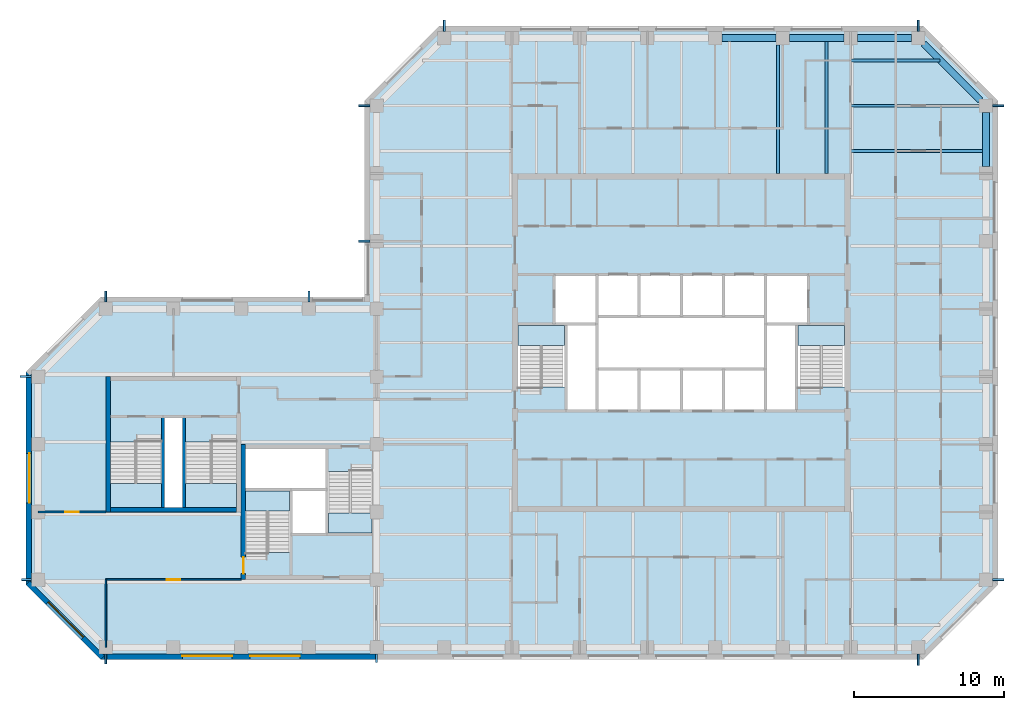
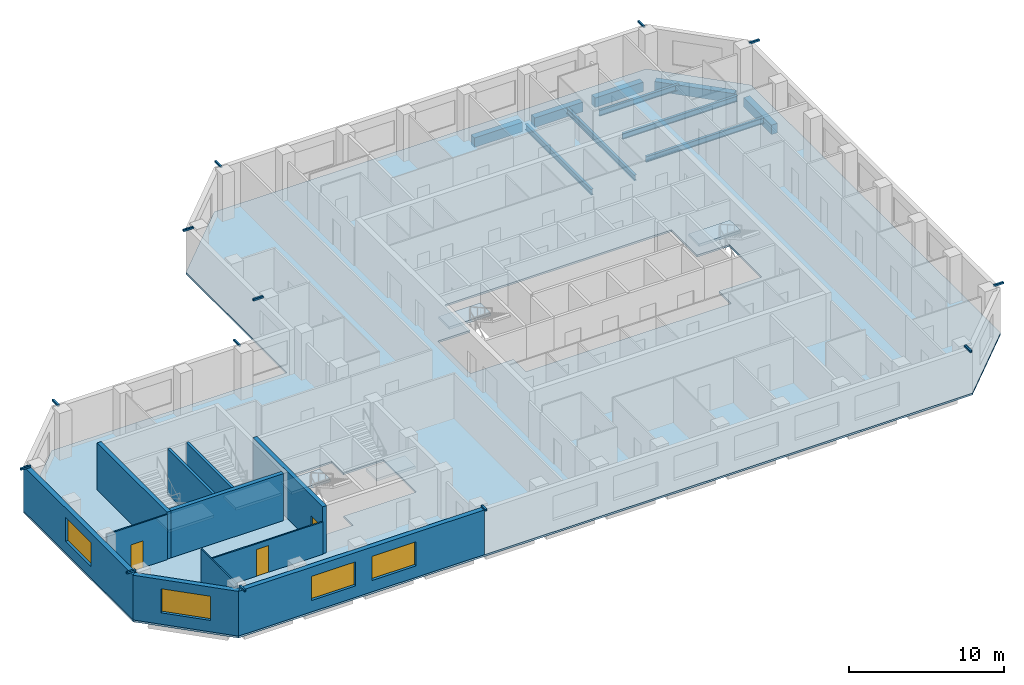
# One storey, part 2 of 10: 23 beams, 11 walls, 7 slabs, 4 windows, 3 doors, 7 openings, 6 elements without a shape of their own.
"""IFC4 building model written with IfcOpenShell, lengths in metres."""

from ifc_helpers import new_model, si_unit, direction, frame, frame_2d, origin, origin_2d, place, context, subcontext, project, spatial, polyline, rectangle, hollow_rectangle, i_section, outline, extrude, material, layer, layer_set, constituent, constituent_set, material_profile, profile_set, type_object, element, fill, aggregate, save


model = new_model("IFC4")

# Units and contexts
model_context = context("Model", 3, precision=1e-05, world=origin(), true_north=direction((0.0, 1.0)))
body_context = subcontext(model_context, "Body", "Model", "MODEL_VIEW")
ifc_project = project(units=[si_unit("LENGTHUNIT", "METRE"), si_unit("AREAUNIT", "SQUARE_METRE"), si_unit("VOLUMEUNIT", "CUBIC_METRE"), si_unit("PLANEANGLEUNIT", "RADIAN"), si_unit("MASSUNIT", "GRAM", prefix="KILO")], contexts=[model_context])

# Site, building, storey
site_placement = place(None, origin())
site = spatial("IfcSite", under=ifc_project, at=site_placement, CompositionType="ELEMENT")
building_placement = place(site_placement, origin())
building = spatial("IfcBuilding", under=site, at=building_placement, Name="Quoin Convention Tower", CompositionType="ELEMENT")
storey_placement = place(building_placement, frame((0.0, 0.0, 184.699951171875)))
storey = spatial("IfcBuildingStorey", under=building, at=storey_placement, Name="L48", CompositionType="ELEMENT", Elevation=184.699951171875)

# Beams
ifc_material_1 = material(Name="Steel C450L0", Category="steel")
ifc_material_profile_1 = material_profile(ifc_material_1, hollow_rectangle(XDim=0.14990234375, YDim=0.14990234375, WallThickness=0.008056640625, InnerFilletRadius=0.011962890625, OuterFilletRadius=0.02001953125, at=origin_2d()), Name="150x150x8.0SHS")
ifc_profile_set_1 = profile_set([ifc_material_profile_1], Name="Steel C450L0")
beam_type_1 = type_object("IfcBeamType", Name="150x150x8.0SHS", PredefinedType="BEAM", material=ifc_profile_set_1)
beam_1_placement = place(storey_placement, frame((13.050048828125, 58.5, 3.625), z_axis=(-1.0, 0.0, 0.0), x_axis=(0.0, -1.0, 0.0)))
element("IfcBeam", 1, at=beam_1_placement, inside=storey, type_object=beam_type_1, Name="brk-hi-L45-13500_58500-13500_54000", PredefinedType="BEAM", context=body_context, shape_type="SweptSolid", body=[
    extrude(hollow_rectangle(XDim=0.14990234375, YDim=0.14990234375, WallThickness=0.008056640625, InnerFilletRadius=0.011962890625, OuterFilletRadius=0.02001953125, at=origin_2d()), origin(), (0.0, 0.0, 1.0), 0.75),
])
for number, where, z_axis, x_axis, name in (
    (2, (13.050048828125, 45.0, 3.625), (-1.0, 0.0, 0.0), (0.0, -1.0, 0.0), "brk-hi-L45-13500_49500-13500_45000"),
    (3, (18.0, 40.050048828125, 3.625), (0.0, -1.0, 0.0), (1.0, 0.0, 0.0), "brk-hi-L45-18000_40500-22500_40500"),
):
    element("IfcBeam", number, at=place(storey_placement, frame(where, z_axis=z_axis, x_axis=x_axis)), inside=storey, type_object=beam_type_1, Name=name, PredefinedType="BEAM", context=body_context, shape_type="SweptSolid", body=[
        extrude(hollow_rectangle(XDim=0.14990234375, YDim=0.14990234375, WallThickness=0.008056640625, InnerFilletRadius=0.011962890625, OuterFilletRadius=0.02001953125, at=origin_2d()), origin(), (0.0, 0.0, 1.0), 0.650146484375),
    ])
beam_2_placement = place(storey_placement, frame((36.0, 40.050048828125, 3.625), z_axis=(0.0, -1.0, 0.0), x_axis=(1.0, 0.0, 0.0)))
element("IfcBeam", 4, at=beam_2_placement, inside=storey, type_object=beam_type_1, Name="brk-hi-L45-31500_40500-36000_40500", PredefinedType="BEAM", context=body_context, shape_type="SweptSolid", body=[
    extrude(hollow_rectangle(XDim=0.14990234375, YDim=0.14990234375, WallThickness=0.008056640625, InnerFilletRadius=0.011962890625, OuterFilletRadius=0.02001953125, at=origin_2d()), origin(), (0.0, 0.0, 1.0), 0.550048828125),
])
for number, where, z_axis, x_axis, name in (
    (5, (72.0, 40.050048828125, 3.625), (0.0, -1.0, 0.0), (1.0, 0.0, 0.0), "brk-hi-L45-67500_40500-72000_40500"),
    (6, (31.5, 63.449951171875, 3.625), (0.0, 1.0, 0.0), (-1.0, 0.0, 0.0), "brk-hi-L45-31500_63000-27000_63000"),
    (7, (18.0, 63.449951171875, 3.625), (0.0, 1.0, 0.0), (-1.0, 0.0, 0.0), "brk-hi-L45-22500_63000-18000_63000"),
    (8, (35.550048828125, 76.5, 3.625), (-1.0, 0.0, 0.0), (0.0, -1.0, 0.0), "brk-hi-L45-36000_76500-36000_72000"),
    (9, (35.550048828125, 67.5, 3.625), (-1.0, 0.0, 0.0), (0.0, -1.0, 0.0), "brk-hi-L45-36000_72000-36000_67500"),
    (10, (72.0, 81.449951171875, 3.625), (0.0, 1.0, 0.0), (-1.0, 0.0, 0.0), "brk-hi-L45-72000_81000-67500_81000"),
    (11, (40.5, 81.449951171875, 3.625), (0.0, 1.0, 0.0), (-1.0, 0.0, 0.0), "brk-hi-L45-45000_81000-40500_81000"),
    (12, (76.949951171875, 45.0, 3.625), (1.0, 0.0, 0.0), (0.0, 1.0, 0.0), "brk-hi-L45-76500_45000-76500_49500"),
    (13, (76.949951171875, 76.5, 3.625), (1.0, 0.0, 0.0), (0.0, 1.0, 0.0), "brk-hi-L45-76500_72000-76500_76500"),
):
    element("IfcBeam", number, at=place(storey_placement, frame(where, z_axis=z_axis, x_axis=x_axis)), inside=storey, type_object=beam_type_1, Name=name, PredefinedType="BEAM", context=body_context, shape_type="SweptSolid", body=[
        extrude(hollow_rectangle(XDim=0.14990234375, YDim=0.14990234375, WallThickness=0.008056640625, InnerFilletRadius=0.011962890625, OuterFilletRadius=0.02001953125, at=origin_2d()), origin(), (0.0, 0.0, 1.0), 0.75),
    ])
ifc_material_2 = material(Name="Steel Grade 300", Category="steel")
ifc_material_profile_2 = material_profile(ifc_material_2, i_section(OverallWidth=0.18994140625, OverallDepth=0.4541015625, WebThickness=0.008544921875, FlangeThickness=0.0126953125, FilletRadius=0.011474609375, at=origin_2d()), Name="460UB67.1")
ifc_profile_set_2 = profile_set([ifc_material_profile_2], Name="Steel Grade 300")
beam_type_2 = type_object("IfcBeamType", Name="460UB67.1", PredefinedType="BEAM", material=ifc_profile_set_2)
beam_3_placement = place(storey_placement, frame((62.6787109375, 72.0, -0.376953125), z_axis=(0.0, 1.0, 0.0), x_axis=(-1.0, 0.0, 0.0)))
element("IfcBeam", 14, at=beam_3_placement, inside=storey, type_object=beam_type_2, Name="bm-L48-T1N5", PredefinedType="BEAM", context=body_context, shape_type="SweptSolid", body=[
    extrude(i_section(OverallWidth=0.18994140625, OverallDepth=0.4541015625, WebThickness=0.008544921875, FlangeThickness=0.0126953125, FilletRadius=0.011474609375, at=origin_2d()), origin(), (0.0, 0.0, 1.0), 8.550048828125),
])
beam_4_placement = place(storey_placement, frame((65.892822265625, 72.0, -0.376953125), z_axis=(0.0, 1.0, 0.0), x_axis=(-1.0, 0.0, 0.0)))
element("IfcBeam", 15, at=beam_4_placement, inside=storey, type_object=beam_type_2, Name="bm-L48-T1N6", PredefinedType="BEAM", context=body_context, shape_type="SweptSolid", body=[
    extrude(i_section(OverallWidth=0.18994140625, OverallDepth=0.4541015625, WebThickness=0.008544921875, FlangeThickness=0.0126953125, FilletRadius=0.011474609375, at=origin_2d()), origin(), (0.0, 0.0, 1.0), 8.77490234375),
])
beam_5_placement = place(storey_placement, frame((67.5, 79.5, -0.376953125), z_axis=(1.0, 0.0, 0.0), x_axis=(0.0, 1.0, 0.0)))
element("IfcBeam", 16, at=beam_5_placement, inside=storey, type_object=beam_type_2, Name="bm-L48-T1NE0", PredefinedType="BEAM", context=body_context, shape_type="SweptSolid", body=[
    extrude(i_section(OverallWidth=0.18994140625, OverallDepth=0.4541015625, WebThickness=0.008544921875, FlangeThickness=0.0126953125, FilletRadius=0.011474609375, at=origin_2d()), origin(), (0.0, 0.0, 1.0), 5.935791015625),
])
beam_6_placement = place(storey_placement, frame((67.5, 76.5, -0.376953125), z_axis=(1.0, 0.0, 0.0), x_axis=(0.0, 1.0, 0.0)))
element("IfcBeam", 17, at=beam_6_placement, inside=storey, type_object=beam_type_2, Name="bm-L48-T1NE1", PredefinedType="BEAM", context=body_context, shape_type="SweptSolid", body=[
    extrude(i_section(OverallWidth=0.18994140625, OverallDepth=0.4541015625, WebThickness=0.008544921875, FlangeThickness=0.0126953125, FilletRadius=0.011474609375, at=origin_2d()), origin(), (0.0, 0.0, 1.0), 8.550048828125),
])
beam_7_placement = place(storey_placement, frame((67.5, 73.5, -0.376953125), z_axis=(1.0, 0.0, 0.0), x_axis=(0.0, 1.0, 0.0)))
element("IfcBeam", 18, at=beam_7_placement, inside=storey, type_object=beam_type_2, Name="bm-L48-T1NE2", PredefinedType="BEAM", context=body_context, shape_type="SweptSolid", body=[
    extrude(i_section(OverallWidth=0.18994140625, OverallDepth=0.4541015625, WebThickness=0.008544921875, FlangeThickness=0.0126953125, FilletRadius=0.011474609375, at=origin_2d()), origin(), (0.0, 0.0, 1.0), 8.77490234375),
])
ifc_material_3 = material(Name="Concrete C50", Category="concrete")
ifc_material_profile_3 = material_profile(ifc_material_3, rectangle(XDim=0.449951171875, YDim=0.75, at=origin_2d()), Name="RC 450x750")
ifc_profile_set_3 = profile_set([ifc_material_profile_3], Name="Concrete C50")
beam_type_3 = type_object("IfcBeamType", Name="RC 450x750 C50", PredefinedType="SPANDREL", material=ifc_profile_set_3)
beam_8_placement = place(storey_placement, frame((76.5, 72.449951171875, -0.52490234375), z_axis=(0.0, 1.0, 0.0), x_axis=(-1.0, 0.0, 0.0)))
element("IfcBeam", 19, at=beam_8_placement, inside=storey, type_object=beam_type_3, Name="spd-L48-76500_72000-76500_76500", PredefinedType="SPANDREL", context=body_context, shape_type="SweptSolid", body=[
    extrude(rectangle(XDim=0.449951171875, YDim=0.75, at=origin_2d()), origin(), (0.0, 0.0, 1.0), 3.60009765625),
])
beam_9_placement = place(storey_placement, frame((76.135009765625, 76.864990234375, -0.52490234375), z_axis=(-0.707106781187, 0.707106781187, 0.0), x_axis=(-0.707106781187, -0.707106781187, 0.0)))
element("IfcBeam", 20, at=beam_9_placement, inside=storey, type_object=beam_type_3, Name="spd-L48-76500_76500-72000_81000", PredefinedType="SPANDREL", context=body_context, shape_type="SweptSolid", body=[
    extrude(rectangle(XDim=0.449951171875, YDim=0.75, at=origin_2d()), origin(), (0.0, 0.0, 1.0), 5.33154296875),
])
for number, where, z_axis, x_axis, name in (
    (21, (71.550048828125, 81.0, -0.52490234375), (-1.0, 0.0, 0.0), (0.0, -1.0, 0.0), "spd-L48-72000_81000-67500_81000"),
    (22, (67.050048828125, 81.0, -0.52490234375), (-1.0, 0.0, 0.0), (0.0, -1.0, 0.0), "spd-L48-67500_81000-63000_81000"),
    (23, (62.550048828125, 81.0, -0.52490234375), (-1.0, 0.0, 0.0), (0.0, -1.0, 0.0), "spd-L48-63000_81000-58500_81000"),
):
    element("IfcBeam", number, at=place(storey_placement, frame(where, z_axis=z_axis, x_axis=x_axis)), inside=storey, type_object=beam_type_3, Name=name, PredefinedType="SPANDREL", context=body_context, shape_type="SweptSolid", body=[
        extrude(rectangle(XDim=0.449951171875, YDim=0.75, at=origin_2d()), origin(), (0.0, 0.0, 1.0), 3.60009765625),
    ])

# Slab
ifc_material_4 = material(Name="Concrete C40", Category="concrete")
ifc_layer_1 = layer(ifc_material_4, 0.14990234375)
ifc_layer_set_1 = layer_set([ifc_layer_1], Name="Concrete C40")
slab_type_1 = type_object("IfcSlabType", Name="COMPOSITE SLAB 150 C40", PredefinedType="FLOOR", material=ifc_layer_set_1)
slab_1_placement = place(storey_placement, frame((0.0, 0.0, -0.14990234375)))
element("IfcSlab", 24, at=slab_1_placement, inside=storey, type_object=slab_type_1, Name="slb-L48", PredefinedType="FLOOR", context=body_context, shape_type="SweptSolid", body=[
    extrude(outline(polyline([(17.668701171875, 39.699951171875), (12.699951171875, 44.668701171875), (12.699951171875, 58.831298828125), (17.668701171875, 63.800048828125), (35.199951171875, 63.800048828125), (35.199951171875, 76.831298828125), (40.168701171875, 81.800048828125), (72.331298828125, 81.800048828125), (77.300048828125, 76.831298828125), (77.300048828125, 44.668701171875), (72.331298828125, 39.699951171875), (17.668701171875, 39.699951171875)]), holes=[polyline([(27.300048828125, 51.0), (27.300048828125, 46.800537109375), (30.300048828125, 46.800537109375), (30.300048828125, 48.0), (32.699951171875, 48.0), (35.699951171875, 48.0), (35.699951171875, 52.199462890625), (32.699951171875, 52.199462890625), (32.699951171875, 53.699951171875), (27.300048828125, 53.699951171875), (27.300048828125, 51.0)]), polyline([(18.300048828125, 49.800048828125), (21.800048828125, 49.800048828125), (23.199951171875, 49.800048828125), (26.699951171875, 49.800048828125), (26.699951171875, 54.1494140625), (23.199951171875, 54.1494140625), (23.199951171875, 55.85009765625), (21.800048828125, 55.85009765625), (21.800048828125, 54.1494140625), (18.300048828125, 54.1494140625), (18.300048828125, 49.800048828125)]), polyline([(48.60009765625, 56.199951171875), (50.64990234375, 56.199951171875), (53.449951171875, 56.199951171875), (56.25, 56.199951171875), (59.050048828125, 56.199951171875), (61.85009765625, 56.199951171875), (63.89990234375, 56.199951171875), (63.89990234375, 57.800537109375), (67.10009765625, 57.800537109375), (67.10009765625, 62.0), (64.699951171875, 62.0), (64.699951171875, 65.300048828125), (61.85009765625, 65.300048828125), (59.050048828125, 65.300048828125), (56.25, 65.300048828125), (53.449951171875, 65.300048828125), (50.64990234375, 65.300048828125), (47.800048828125, 65.300048828125), (47.800048828125, 62.0), (45.39990234375, 62.0), (45.39990234375, 57.800537109375), (48.60009765625, 57.800537109375), (48.60009765625, 56.199951171875)])]), origin(), (0.0, 0.0, 1.0), 0.14990234375),
])

# Stair, slab
stair_type_1 = type_object("IfcStairType", Name="Exit stair two-flight 1350", PredefinedType="HALF_TURN_STAIR", material=ifc_material_4)
stair_1_placement = place(storey_placement, origin())
stair_1 = element("IfcStair", 25, at=stair_1_placement, inside=storey, type_object=stair_type_1, Name="SD1 L48", PredefinedType="HALF_TURN_STAIR")
ifc_layer_2 = layer(ifc_material_4, 0.199951171875)
ifc_layer_set_2 = layer_set([ifc_layer_2], Name="Concrete C40")
slab_type_2 = type_object("IfcSlabType", Name="Stair landing 200", PredefinedType="LANDING", material=ifc_layer_set_2)
slab_2_placement = place(storey_placement, frame((0.0, 0.0, 1.792236328125)))
slab_2 = element("IfcSlab", 26, at=slab_2_placement, type_object=slab_type_2, Name="ST1 landing 1", PredefinedType="LANDING", context=body_context, shape_type="SweptSolid", body=[
    extrude(outline(polyline([(45.39990234375, 60.550048828125), (48.5, 60.550048828125), (48.5, 61.89990234375), (45.39990234375, 61.89990234375), (45.39990234375, 60.550048828125)])), origin(), (0.0, 0.0, 1.0), 0.2001953125),
])
aggregate(stair_1, [slab_2])

stair_2_placement = place(storey_placement, origin())
stair_2 = element("IfcStair", 27, at=stair_2_placement, inside=storey, type_object=stair_type_1, Name="SD2 L48", PredefinedType="HALF_TURN_STAIR")
slab_3_placement = place(storey_placement, frame((0.0, 0.0, 1.792236328125)))
slab_3 = element("IfcSlab", 28, at=slab_3_placement, type_object=slab_type_2, Name="ST2 landing 1", PredefinedType="LANDING", context=body_context, shape_type="SweptSolid", body=[
    extrude(outline(polyline([(64.0, 60.550048828125), (67.10009765625, 60.550048828125), (67.10009765625, 61.89990234375), (64.0, 61.89990234375), (64.0, 60.550048828125)])), origin(), (0.0, 0.0, 1.0), 0.2001953125),
])
aggregate(stair_2, [slab_3])

stair_3_placement = place(storey_placement, origin())
stair_3 = element("IfcStair", 29, at=stair_3_placement, inside=storey, type_object=stair_type_1, Name="SD3 L48", PredefinedType="HALF_TURN_STAIR")
slab_4_placement = place(storey_placement, frame((0.0, 0.0, 1.792236328125)))
slab_4 = element("IfcSlab", 30, at=slab_4_placement, type_object=slab_type_2, Name="ST3 landing 1", PredefinedType="LANDING", context=body_context, shape_type="SweptSolid", body=[
    extrude(outline(polyline([(27.300048828125, 49.550048828125), (30.199951171875, 49.550048828125), (30.199951171875, 50.89990234375), (27.300048828125, 50.89990234375), (27.300048828125, 49.550048828125)])), origin(), (0.0, 0.0, 1.0), 0.2001953125),
])
aggregate(stair_3, [slab_4])

stair_4_placement = place(storey_placement, origin())
stair_4 = element("IfcStair", 31, at=stair_4_placement, inside=storey, type_object=stair_type_1, Name="SD4 L48", PredefinedType="HALF_TURN_STAIR")
slab_5_placement = place(storey_placement, frame((0.0, 0.0, 1.792236328125)))
slab_5 = element("IfcSlab", 32, at=slab_5_placement, type_object=slab_type_2, Name="ST4 landing 1", PredefinedType="LANDING", context=body_context, shape_type="SweptSolid", body=[
    extrude(outline(polyline([(35.699951171875, 49.449951171875), (32.800048828125, 49.449951171875), (32.800048828125, 48.10009765625), (35.699951171875, 48.10009765625), (35.699951171875, 49.449951171875)])), origin(), (0.0, 0.0, 1.0), 0.2001953125),
])
aggregate(stair_4, [slab_5])

stair_type_2 = type_object("IfcStairType", Name="Exit stair two-flight 1600", PredefinedType="HALF_TURN_STAIR", material=ifc_material_4)
stair_5_placement = place(storey_placement, origin())
stair_5 = element("IfcStair", 33, at=stair_5_placement, inside=storey, type_object=stair_type_2, Name="SD11 L48", PredefinedType="HALF_TURN_STAIR")
slab_6_placement = place(storey_placement, frame((0.0, 0.0, 1.792236328125)))
slab_6 = element("IfcSlab", 34, at=slab_6_placement, type_object=slab_type_2, Name="ST11 landing 1", PredefinedType="LANDING", context=body_context, shape_type="SweptSolid", body=[
    extrude(outline(polyline([(21.699951171875, 51.39990234375), (18.300048828125, 51.39990234375), (18.300048828125, 49.800048828125), (21.699951171875, 49.800048828125), (21.699951171875, 51.39990234375)])), origin(), (0.0, 0.0, 1.0), 0.2001953125),
])
aggregate(stair_5, [slab_6])

stair_6_placement = place(storey_placement, origin())
stair_6 = element("IfcStair", 35, at=stair_6_placement, inside=storey, type_object=stair_type_2, Name="SD12 L48", PredefinedType="HALF_TURN_STAIR")
slab_7_placement = place(storey_placement, frame((0.0, 0.0, 1.792236328125)))
slab_7 = element("IfcSlab", 36, at=slab_7_placement, type_object=slab_type_2, Name="ST12 landing 1", PredefinedType="LANDING", context=body_context, shape_type="SweptSolid", body=[
    extrude(outline(polyline([(26.699951171875, 51.39990234375), (23.300048828125, 51.39990234375), (23.300048828125, 49.800048828125), (26.699951171875, 49.800048828125), (26.699951171875, 51.39990234375)])), origin(), (0.0, 0.0, 1.0), 0.2001953125),
])
aggregate(stair_6, [slab_7])

# Wall, opening, window
ifc_material_5 = material(Name="Brick masonry", Category="masonry")
ifc_layer_3 = layer(ifc_material_5, 0.35009765625)
ifc_layer_set_3 = layer_set([ifc_layer_3], Name="Brick masonry")
wall_type_1 = type_object("IfcWallType", Name="Brick facade wall", PredefinedType="STANDARD", material=ifc_layer_set_3)
wall_1_placement = place(storey_placement, frame((12.875, 58.831298828125, 0.0), z_axis=(0.0, 0.0, 1.0), x_axis=(0.0, -1.0, 0.0)))
wall_1 = element("IfcWall", 37, at=wall_1_placement, inside=storey, type_object=wall_type_1, Name="fw-L48-13500_58500", PredefinedType="STANDARD", context=body_context, shape_type="SweptSolid", body=[
    extrude(rectangle(XDim=14.16259765625, YDim=0.35009765625, at=frame_2d((7.081298828125, 0.0))), origin(), (0.0, 0.0, 1.0), 3.525146484375),
])
opening_1_placement = place(wall_1_placement, frame((5.431396484375, 0.0, 0.89990234375)))
opening_1 = element("IfcOpeningElement", 38, at=opening_1_placement, cuts=wall_1, Name="Opening W-02", PredefinedType="OPENING", context=body_context, shape_type="SweptSolid", body=[
    extrude(rectangle(XDim=3.300048828125, YDim=1.89990234375, at=frame_2d((1.64990234375, 0.949951171875))), frame((0.0, 0.18505859375, 0.0), z_axis=(0.0, -1.0, 0.0), x_axis=(1.0, 0.0, 0.0)), (0.0, 0.0, 1.0), 0.3701171875),
])
ifc_material_6 = material(Name="Aluminium", Category="aluminium")
ifc_constituent_1 = constituent(ifc_material_6, Name="Frame")
ifc_material_7 = material(Name="Insulated glass", Category="glass")
ifc_constituent_2 = constituent(ifc_material_7, Name="Glazing")
ifc_constituent_set = constituent_set(constituents=[ifc_constituent_1, ifc_constituent_2], Name="Aluminium")
window_type = type_object("IfcWindowType", Name="Office window", PartitioningType="DOUBLE_PANEL_VERTICAL", PredefinedType="WINDOW", material=ifc_constituent_set)
window_1_placement = place(opening_1_placement, origin())
window_1 = element("IfcWindow", 39, at=window_1_placement, inside=storey, type_object=window_type, Name="win-L48-12875_51750", OverallHeight=1.89990234375, OverallWidth=3.300048828125, PartitioningType="SINGLE_PANEL", PredefinedType="WINDOW", context=body_context, shape_type="SweptSolid", body=[
    extrude(rectangle(XDim=3.300048828125, YDim=1.89990234375, at=frame_2d((1.64990234375, 0.949951171875))), frame((0.0, 0.0849609375, 0.0), z_axis=(0.0, -1.0, 0.0), x_axis=(1.0, 0.0, 0.0)), (0.0, 0.0, 1.0), 0.06005859375),
])
fill(opening_1, window_1)

wall_2_placement = place(storey_placement, frame((12.82373046875, 44.79248046875, 0.0), z_axis=(0.0, 0.0, 1.0), x_axis=(0.707106781187, -0.707106781187, 0.0)))
wall_2 = element("IfcWall", 40, at=wall_2_placement, inside=storey, type_object=wall_type_1, Name="fw-L48-13500_45000", PredefinedType="STANDARD", context=body_context, shape_type="SweptSolid", body=[
    extrude(rectangle(XDim=7.02685546875, YDim=0.35009765625, at=frame_2d((3.513427734375, 0.0))), origin(), (0.0, 0.0, 1.0), 3.525146484375),
])
opening_2_placement = place(wall_2_placement, frame((1.86328125, 0.0, 0.89990234375)))
opening_2 = element("IfcOpeningElement", 41, at=opening_2_placement, cuts=wall_2, Name="Opening W-02", PredefinedType="OPENING", context=body_context, shape_type="SweptSolid", body=[
    extrude(rectangle(XDim=3.300048828125, YDim=1.89990234375, at=frame_2d((1.64990234375, 0.949951171875))), frame((0.0, 0.18505859375, 0.0), z_axis=(0.0, -1.0, 0.0), x_axis=(1.0, 0.0, 0.0)), (0.0, 0.0, 1.0), 0.3701171875),
])
window_2_placement = place(opening_2_placement, origin())
window_2 = element("IfcWindow", 42, at=window_2_placement, inside=storey, type_object=window_type, Name="win-L48-15308_42308", OverallHeight=1.89990234375, OverallWidth=3.300048828125, PartitioningType="SINGLE_PANEL", PredefinedType="WINDOW", context=body_context, shape_type="SweptSolid", body=[
    extrude(rectangle(XDim=3.300048828125, YDim=1.89990234375, at=frame_2d((1.64990234375, 0.949951171875))), frame((0.0, 0.0849609375, 0.0), z_axis=(0.0, -1.0, 0.0), x_axis=(1.0, 0.0, 0.0)), (0.0, 0.0, 1.0), 0.06005859375),
])
fill(opening_2, window_2)

# Wall, openings, windows
wall_3_placement = place(storey_placement, frame((17.668701171875, 39.875, 0.0), z_axis=(0.0, 0.0, 1.0), x_axis=(1.0, 0.0, 0.0)))
wall_3 = element("IfcWall", 43, at=wall_3_placement, inside=storey, type_object=wall_type_1, Name="fw-L48-18000_40500", PredefinedType="STANDARD", context=body_context, shape_type="SweptSolid", body=[
    extrude(rectangle(XDim=18.331298828125, YDim=0.35009765625, at=frame_2d((9.16552734375, 0.0))), origin(), (0.0, 0.0, 1.0), 3.525146484375),
])
opening_3_placement = place(wall_3_placement, frame((5.431396484375, 0.0, 0.89990234375)))
opening_3 = element("IfcOpeningElement", 44, at=opening_3_placement, cuts=wall_3, Name="Opening W-02", PredefinedType="OPENING", context=body_context, shape_type="SweptSolid", body=[
    extrude(rectangle(XDim=3.300048828125, YDim=1.89990234375, at=frame_2d((1.64990234375, 0.949951171875))), frame((0.0, 0.18505859375, 0.0), z_axis=(0.0, -1.0, 0.0), x_axis=(1.0, 0.0, 0.0)), (0.0, 0.0, 1.0), 0.3701171875),
])
opening_4_placement = place(wall_3_placement, frame((9.931396484375, 0.0, 0.89990234375)))
opening_4 = element("IfcOpeningElement", 45, at=opening_4_placement, cuts=wall_3, Name="Opening W-02", PredefinedType="OPENING", context=body_context, shape_type="SweptSolid", body=[
    extrude(rectangle(XDim=3.300048828125, YDim=1.89990234375, at=frame_2d((1.64990234375, 0.949951171875))), frame((0.0, 0.18505859375, 0.0), z_axis=(0.0, -1.0, 0.0), x_axis=(1.0, 0.0, 0.0)), (0.0, 0.0, 1.0), 0.3701171875),
])
window_3_placement = place(opening_3_placement, origin())
window_3 = element("IfcWindow", 46, at=window_3_placement, inside=storey, type_object=window_type, Name="win-L48-24750_39875", OverallHeight=1.89990234375, OverallWidth=3.300048828125, PartitioningType="SINGLE_PANEL", PredefinedType="WINDOW", context=body_context, shape_type="SweptSolid", body=[
    extrude(rectangle(XDim=3.300048828125, YDim=1.89990234375, at=frame_2d((1.64990234375, 0.949951171875))), frame((0.0, 0.0849609375, 0.0), z_axis=(0.0, -1.0, 0.0), x_axis=(1.0, 0.0, 0.0)), (0.0, 0.0, 1.0), 0.06005859375),
])
fill(opening_3, window_3)
window_4_placement = place(opening_4_placement, origin())
window_4 = element("IfcWindow", 47, at=window_4_placement, inside=storey, type_object=window_type, Name="win-L48-29250_39875", OverallHeight=1.89990234375, OverallWidth=3.300048828125, PartitioningType="SINGLE_PANEL", PredefinedType="WINDOW", context=body_context, shape_type="SweptSolid", body=[
    extrude(rectangle(XDim=3.300048828125, YDim=1.89990234375, at=frame_2d((1.64990234375, 0.949951171875))), frame((0.0, 0.0849609375, 0.0), z_axis=(0.0, -1.0, 0.0), x_axis=(1.0, 0.0, 0.0)), (0.0, 0.0, 1.0), 0.06005859375),
])
fill(opening_4, window_4)

# Walls
ifc_layer_4 = layer(ifc_material_3, 0.199951171875)
ifc_layer_set_4 = layer_set([ifc_layer_4], Name="Concrete C50")
wall_type_2 = type_object("IfcWallType", Name="Core shaft wall", PredefinedType="SOLIDWALL", material=ifc_layer_set_4)
for number, where, z_axis, x_axis, name in (
    (48, (21.800048828125, 49.800048828125, 0.0), (0.0, 0.0, 1.0), (0.0, 1.0, 0.0), "cr-P6-L48-v3800_300"),
    (49, (23.199951171875, 49.800048828125, 0.0), (0.0, 0.0, 1.0), (0.0, 1.0, 0.0), "cr-P6-L48-v5200_300"),
):
    element("IfcWall", number, at=place(storey_placement, frame(where, z_axis=z_axis, x_axis=x_axis)), inside=storey, type_object=wall_type_2, Name=name, PredefinedType="SOLIDWALL", context=body_context, shape_type="SweptSolid", body=[
        extrude(rectangle(XDim=6.050048828125, YDim=0.199951171875, at=frame_2d((3.02490234375, 0.0))), origin(), (0.0, 0.0, 1.0), 3.550048828125),
    ])

# Wall, opening, door
ifc_layer_5 = layer(ifc_material_3, 0.300048828125)
ifc_layer_set_5 = layer_set([ifc_layer_5], Name="Concrete C50")
wall_type_3 = type_object("IfcWallType", Name="RC CORE WALL 300 C50", PredefinedType="SHEAR", material=ifc_layer_set_5)
wall_4_placement = place(storey_placement, frame((27.14990234375, 45.0, 0.0), z_axis=(0.0, 0.0, 1.0), x_axis=(0.0, 1.0, 0.0)))
wall_4 = element("IfcWall", 50, at=wall_4_placement, inside=storey, type_object=wall_type_3, Name="cwl-P2-L48-W", PredefinedType="SHEAR", context=body_context, shape_type="SweptSolid", body=[
    extrude(rectangle(XDim=9.0, YDim=0.300048828125, at=frame_2d((4.5, 0.0))), origin(), (0.0, 0.0, 1.0), 3.699951171875),
])
opening_5_placement = place(wall_4_placement, frame((0.39990234375, 0.0, 0.0)))
opening_5 = element("IfcOpeningElement", 51, at=opening_5_placement, cuts=wall_4, Name="Opening SD3", PredefinedType="OPENING", context=body_context, shape_type="SweptSolid", body=[
    extrude(rectangle(XDim=1.10009765625, YDim=2.10009765625, at=frame_2d((0.550048828125, 1.050048828125))), frame((0.0, 0.159912109375, 0.0), z_axis=(0.0, -1.0, 0.0), x_axis=(1.0, 0.0, 0.0)), (0.0, 0.0, 1.0), 0.320068359375),
])
ifc_material_8 = material(Name="Steel door leaf", Category="steel")
door_type_1 = type_object("IfcDoorType", Name="Stair door 1100 x 2100", OperationType="SINGLE_SWING_RIGHT", PredefinedType="DOOR", material=ifc_material_8)
door_1_placement = place(opening_5_placement, frame((1.10009765625, 0.0, 0.0), z_axis=(0.0, 0.0, 1.0), x_axis=(-1.0, 0.0, 0.0)))
door_1 = element("IfcDoor", 52, at=door_1_placement, inside=storey, type_object=door_type_1, Name="cd-P2-L48-SA-W", OperationType="SINGLE_SWING_RIGHT", OverallHeight=2.10009765625, OverallWidth=1.10009765625, PredefinedType="DOOR", context=body_context, shape_type="SweptSolid", body=[
    extrude(rectangle(XDim=1.10009765625, YDim=2.10009765625, at=frame_2d((0.550048828125, 1.050048828125))), frame((0.0, 0.02490234375, 0.0), z_axis=(0.0, -1.0, 0.0), x_axis=(1.0, 0.0, 0.0)), (0.0, 0.0, 1.0), 0.050048828125),
])
fill(opening_5, door_1)

# Walls
wall_5_placement = place(storey_placement, frame((18.300048828125, 49.64990234375, 0.0), z_axis=(0.0, 0.0, 1.0), x_axis=(1.0, 0.0, 0.0)))
element("IfcWall", 53, at=wall_5_placement, inside=storey, type_object=wall_type_3, Name="cwl-P6-L48-S", PredefinedType="SHEAR", context=body_context, shape_type="SweptSolid", body=[
    extrude(rectangle(XDim=8.39990234375, YDim=0.300048828125, at=frame_2d((4.199951171875, 0.0))), origin(), (0.0, 0.0, 1.0), 3.699951171875),
])
wall_6_placement = place(storey_placement, frame((18.14990234375, 49.5, 0.0), z_axis=(0.0, 0.0, 1.0), x_axis=(0.0, 1.0, 0.0)))
element("IfcWall", 54, at=wall_6_placement, inside=storey, type_object=wall_type_3, Name="cwl-P6-L48-W", PredefinedType="SHEAR", context=body_context, shape_type="SweptSolid", body=[
    extrude(rectangle(XDim=9.0, YDim=0.300048828125, at=frame_2d((4.5, 0.0))), origin(), (0.0, 0.0, 1.0), 3.699951171875),
])

# Wall, opening, door
ifc_material_9 = material(Name="Plasterboard")
ifc_layer_6 = layer(ifc_material_9, 0.012451171875, Name="Finish")
ifc_material_10 = material(Name="Steel stud framing", Category="steel")
ifc_layer_7 = layer(ifc_material_10, 0.074951171875, Name="Structure")
ifc_layer_8 = layer(ifc_material_9, 0.012451171875, Name="Finish")
ifc_layer_set_6 = layer_set([ifc_layer_6, ifc_layer_7, ifc_layer_8], Name="Steel stud framing")
wall_type_4 = type_object("IfcWallType", Name="Stud partition 100", PredefinedType="PARTITIONING", material=ifc_layer_set_6)
wall_7_placement = place(storey_placement, frame((13.5, 49.5, 0.0), z_axis=(0.0, 0.0, 1.0), x_axis=(1.0, 0.0, 0.0)))
wall_7 = element("IfcWall", 55, at=wall_7_placement, inside=storey, type_object=wall_type_4, Name="pw-L48-w02", PredefinedType="PARTITIONING", context=body_context, shape_type="SweptSolid", body=[
    extrude(rectangle(XDim=4.5, YDim=0.10009765625, at=frame_2d((2.25, 0.0))), origin(), (0.0, 0.0, 1.0), 3.550048828125),
])
opening_6_placement = place(wall_7_placement, frame((1.800048828125, 0.0, 0.0)))
opening_6 = element("IfcOpeningElement", 56, at=opening_6_placement, cuts=wall_7, Name="Opening DOH6-35", PredefinedType="OPENING", context=body_context, shape_type="SweptSolid", body=[
    extrude(rectangle(XDim=0.89990234375, YDim=2.10009765625, at=frame_2d((0.449951171875, 1.050048828125))), frame((0.0, 0.06005859375, 0.0), z_axis=(0.0, -1.0, 0.0), x_axis=(1.0, 0.0, 0.0)), (0.0, 0.0, 1.0), 0.1201171875),
])
door_type_2 = type_object("IfcDoorType", Name="Office door 900 x 2100", OperationType="SINGLE_SWING_RIGHT", PredefinedType="DOOR", material=ifc_material_8)
door_2_placement = place(opening_6_placement, origin())
door_2 = element("IfcDoor", 57, at=door_2_placement, inside=storey, type_object=door_type_2, Name="dr-L48-w03", OperationType="SINGLE_SWING_RIGHT", OverallHeight=2.10009765625, OverallWidth=0.89990234375, PredefinedType="DOOR", context=body_context, shape_type="SweptSolid", body=[
    extrude(rectangle(XDim=0.89990234375, YDim=2.10009765625, at=frame_2d((0.449951171875, 1.050048828125))), frame((0.0, 0.02490234375, 0.0), z_axis=(0.0, -1.0, 0.0), x_axis=(1.0, 0.0, 0.0)), (0.0, 0.0, 1.0), 0.050048828125),
])
fill(opening_6, door_2)

# Wall
wall_8_placement = place(storey_placement, frame((18.0, 40.5, 0.0), z_axis=(0.0, 0.0, 1.0), x_axis=(0.0, 1.0, 0.0)))
element("IfcWall", 58, at=wall_8_placement, inside=storey, type_object=wall_type_4, Name="pw-L48-w03", PredefinedType="PARTITIONING", context=body_context, shape_type="SweptSolid", body=[
    extrude(rectangle(XDim=4.5, YDim=0.10009765625, at=frame_2d((2.25, 0.0))), origin(), (0.0, 0.0, 1.0), 3.550048828125),
])

# Wall, opening, door
ifc_layer_9 = layer(ifc_material_9, 0.012451171875, Name="Finish")
ifc_layer_10 = layer(ifc_material_10, 0.074951171875, Name="Structure")
ifc_layer_11 = layer(ifc_material_9, 0.012451171875, Name="Finish")
ifc_layer_set_7 = layer_set([ifc_layer_9, ifc_layer_10, ifc_layer_11], Name="Steel stud framing")
wall_type_5 = type_object("IfcWallType", Name="Stud partition 100 under beam 1000", PredefinedType="PARTITIONING", material=ifc_layer_set_7)
wall_9_placement = place(storey_placement, frame((18.0, 45.0, 0.0), z_axis=(0.0, 0.0, 1.0), x_axis=(1.0, 0.0, 0.0)))
wall_9 = element("IfcWall", 59, at=wall_9_placement, inside=storey, type_object=wall_type_5, Name="pw-L48-w04", PredefinedType="PARTITIONING", context=body_context, shape_type="SweptSolid", body=[
    extrude(rectangle(XDim=9.0, YDim=0.10009765625, at=frame_2d((4.5, 0.0))), origin(), (0.0, 0.0, 1.0), 2.550048828125),
])
opening_7_placement = place(wall_9_placement, frame((4.050048828125, 0.0, 0.0)))
opening_7 = element("IfcOpeningElement", 60, at=opening_7_placement, cuts=wall_9, Name="Opening DOH6-36", PredefinedType="OPENING", context=body_context, shape_type="SweptSolid", body=[
    extrude(rectangle(XDim=0.89990234375, YDim=2.10009765625, at=frame_2d((0.449951171875, 1.050048828125))), frame((0.0, 0.06005859375, 0.0), z_axis=(0.0, -1.0, 0.0), x_axis=(1.0, 0.0, 0.0)), (0.0, 0.0, 1.0), 0.1201171875),
])
door_3_placement = place(opening_7_placement, frame((0.89990234375, 0.0, 0.0), z_axis=(0.0, 0.0, 1.0), x_axis=(-1.0, 0.0, 0.0)))
door_3 = element("IfcDoor", 61, at=door_3_placement, inside=storey, type_object=door_type_2, Name="dr-L48-w04", OperationType="SINGLE_SWING_LEFT", OverallHeight=2.10009765625, OverallWidth=0.89990234375, PredefinedType="DOOR", context=body_context, shape_type="SweptSolid", body=[
    extrude(rectangle(XDim=0.89990234375, YDim=2.10009765625, at=frame_2d((0.449951171875, 1.050048828125))), frame((0.0, 0.02490234375, 0.0), z_axis=(0.0, -1.0, 0.0), x_axis=(1.0, 0.0, 0.0)), (0.0, 0.0, 1.0), 0.050048828125),
])
fill(opening_7, door_3)

save(model, "model.ifc")
